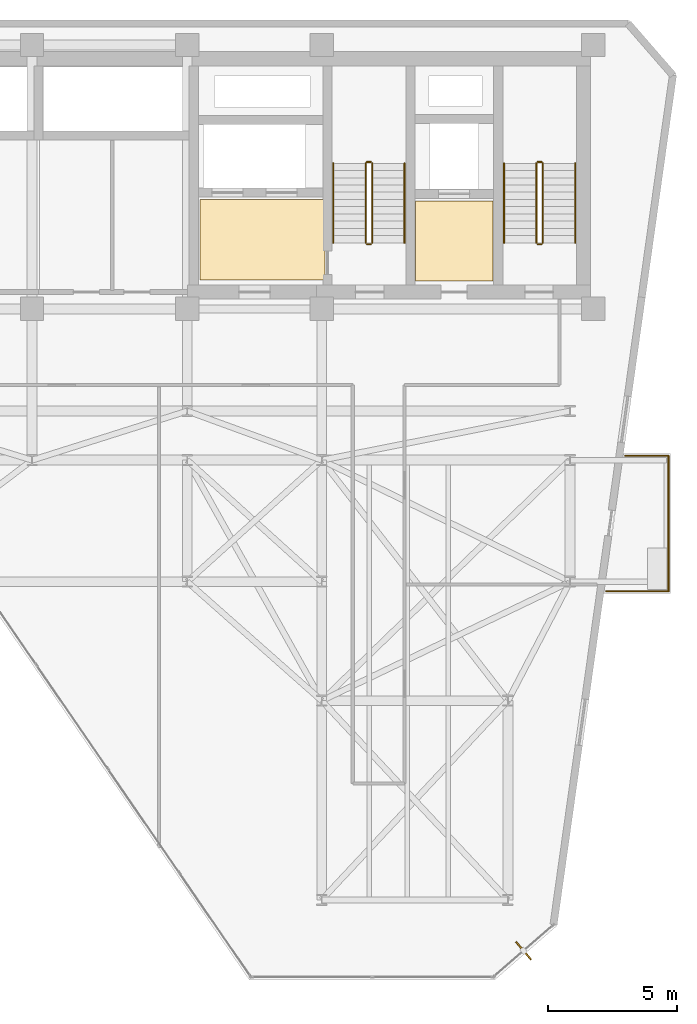
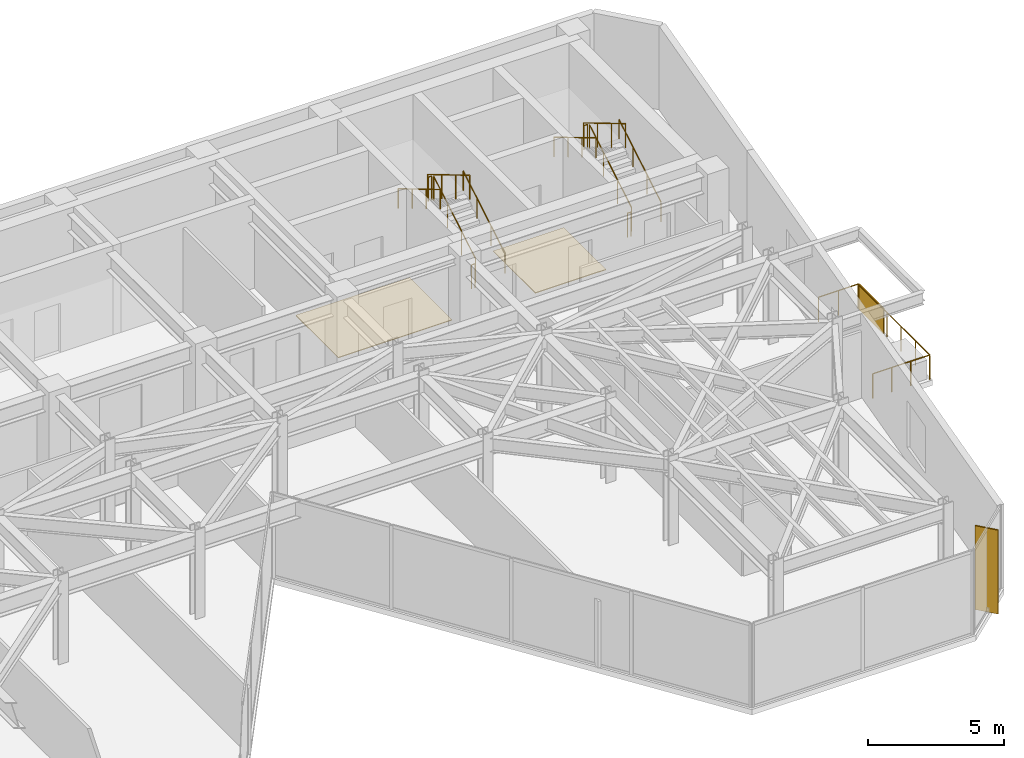
# One storey, part 26 of 26: 15 railings, 2 coverings, 2 shading devices.
"""IFC4 building model written with IfcOpenShell, lengths in metres."""

from ifc_helpers import new_model, si_unit, direction, frame, origin, origin_2d, place, context, subcontext, project, spatial, polyline, rectangle, circle, outline, extrude, material, layer, layer_set, type_object, element, save


model = new_model("IFC4")

# Units and contexts
model_context = context("Model", 3, precision=1e-05, world=origin(), true_north=direction((0.0, 1.0)))
body_context = subcontext(model_context, "Body", "Model", "MODEL_VIEW")
ifc_project = project(units=[si_unit("LENGTHUNIT", "METRE"), si_unit("AREAUNIT", "SQUARE_METRE"), si_unit("VOLUMEUNIT", "CUBIC_METRE"), si_unit("PLANEANGLEUNIT", "RADIAN"), si_unit("MASSUNIT", "GRAM", prefix="KILO")], contexts=[model_context])

# Site, building, storey
site_placement = place(None, origin())
site = spatial("IfcSite", under=ifc_project, at=site_placement, CompositionType="ELEMENT")
building_placement = place(site_placement, origin())
building = spatial("IfcBuilding", under=site, at=building_placement, Name="Kravanh Interchange Tower", CompositionType="ELEMENT")
storey_placement = place(building_placement, frame((0.0, 0.0, 180.5)))
storey = spatial("IfcBuildingStorey", under=building, at=storey_placement, Name="L43", CompositionType="ELEMENT", Elevation=180.5)

# Coverings
ifc_material_1 = material(Name="Cementitious Terrazzo Tile")
ifc_layer_1 = layer(ifc_material_1, 0.030029296875)
ifc_layer_set_1 = layer_set([ifc_layer_1], Name="Honed Terrazzo Lobby Flooring 30mm")
covering_type = type_object("IfcCoveringType", Name="Honed Terrazzo Lobby Flooring 30mm", PredefinedType="FLOORING", material=ifc_layer_set_1)
covering_1_placement = place(storey_placement, origin())
element("IfcCovering", 1, at=covering_1_placement, inside=storey, type_object=covering_type, Name="L43 Service Lift Lobby Floor Finish", PredefinedType="FLOORING", context=body_context, shape_type="SweptSolid", body=[
    extrude(outline(polyline([(59.6298828125, 41.52001953125), (62.6201171875, 41.52001953125), (62.6201171875, 38.429931640625), (59.6298828125, 38.429931640625), (59.6298828125, 41.52001953125)])), origin(), (0.0, 0.0, 1.0), 0.030029296875),
])
covering_2_placement = place(storey_placement, origin())
element("IfcCovering", 2, at=covering_2_placement, inside=storey, type_object=covering_type, Name="L43 Firefighting Lobby Floor Finish", PredefinedType="FLOORING", context=body_context, shape_type="SweptSolid", body=[
    extrude(outline(polyline([(56.1201171875, 38.4599609375), (51.300048828125, 38.4599609375), (51.300048828125, 41.580078125), (56.1201171875, 41.580078125), (56.1201171875, 38.4599609375)])), origin(), (0.0, 0.0, 1.0), 0.030029296875),
])

# Shading device
ifc_material_2 = material(Name="Perforated Anodised Bronze Aluminium", Category="aluminium")
ifc_layer_2 = layer(ifc_material_2, 0.0400390625)
ifc_layer_set_2 = layer_set([ifc_layer_2], Name="Perforated Bronze Balcony Privacy Screen 1150mm")
shading_device_type_1 = type_object("IfcShadingDeviceType", Name="Perforated Bronze Balcony Privacy Screen 1150mm", PredefinedType="USERDEFINED", material=ifc_layer_set_2)
shading_device_1_placement = place(storey_placement, frame((69.409912109375, 30.699951171875, 0.0), z_axis=(0.0, 0.0, 1.0), x_axis=(1.0, 0.0, 0.0)))
element("IfcShadingDevice", 3, at=shading_device_1_placement, inside=storey, type_object=shading_device_type_1, Name="L43 E Perforated Bronze BALCONY SCREEN", ObjectType="SCREEN", PredefinedType="USERDEFINED", context=body_context, shape_type="SweptSolid", body=[
    extrude(rectangle(XDim=0.0400390625, YDim=1.800048828125, at=origin_2d()), origin(), (0.0, 0.0, 1.0), 1.14990234375),
])

# Railings
ifc_material_3 = material(Name="Stainless Steel 316", Category="steel")
ifc_layer_3 = layer(ifc_material_3, 0.06005859375)
ifc_layer_set_3 = layer_set([ifc_layer_3], Name="Perimeter Balcony and Terrace Guardrail Stainless 316 1120mm")
railing_type_1 = type_object("IfcRailingType", Name="Perimeter Balcony and Terrace Guardrail Stainless 316 1120mm", PredefinedType="GUARDRAIL", material=ifc_layer_set_3)
railing_1_placement = place(storey_placement, frame((69.409912109375, 31.669921875, 0.0)))
element("IfcRailing", 4, at=railing_1_placement, inside=storey, type_object=railing_type_1, Name="L43 E Balcony Guardrail 1", PredefinedType="GUARDRAIL", context=body_context, shape_type="SweptSolid", body=[
    extrude(circle(Radius=0.02392578125, at=origin_2d()), frame((0.0, 0.0, 1.09619140625), z_axis=(0.0, -1.0, 0.0), x_axis=(1.0, 0.0, 0.0)), (0.0, 0.0, 1.0), 5.239990234375),
    extrude(circle(Radius=0.02099609375, at=origin_2d()), origin(), (0.0, 0.0, 1.0), 1.072021484375),
    extrude(circle(Radius=0.02099609375, at=origin_2d()), frame((0.0, -1.048095703125, 0.0)), (0.0, 0.0, 1.0), 1.072021484375),
    extrude(circle(Radius=0.02099609375, at=origin_2d()), frame((0.0, -2.095947265625, 0.0)), (0.0, 0.0, 1.0), 1.072021484375),
    extrude(circle(Radius=0.02099609375, at=origin_2d()), frame((0.0, -3.14404296875, 0.0)), (0.0, 0.0, 1.0), 1.072021484375),
    extrude(circle(Radius=0.02099609375, at=origin_2d()), frame((0.0, -4.19189453125, 0.0)), (0.0, 0.0, 1.0), 1.072021484375),
    extrude(circle(Radius=0.02099609375, at=origin_2d()), frame((0.0, -5.239990234375, 0.0)), (0.0, 0.0, 1.0), 1.072021484375),
])
railing_2_placement = place(storey_placement, frame((69.409912109375, 26.429931640625, 0.0)))
element("IfcRailing", 5, at=railing_2_placement, inside=storey, type_object=railing_type_1, Name="L43 E Balcony Guardrail 2", PredefinedType="GUARDRAIL", context=body_context, shape_type="SweptSolid", body=[
    extrude(circle(Radius=0.02392578125, at=origin_2d()), frame((0.0, 0.0, 1.09619140625), z_axis=(-1.0, 0.0, 0.0), x_axis=(0.0, -1.0, 0.0)), (0.0, 0.0, 1.0), 2.415771484375),
    extrude(circle(Radius=0.02099609375, at=origin_2d()), origin(), (0.0, 0.0, 1.0), 1.072021484375),
    extrude(circle(Radius=0.02099609375, at=origin_2d()), frame((-0.80517578125, 0.0, 0.0)), (0.0, 0.0, 1.0), 1.072021484375),
    extrude(circle(Radius=0.02099609375, at=origin_2d()), frame((-1.610595703125, 0.0, 0.0)), (0.0, 0.0, 1.0), 1.072021484375),
    extrude(circle(Radius=0.02099609375, at=origin_2d()), frame((-2.415771484375, 0.0, 0.0)), (0.0, 0.0, 1.0), 1.072021484375),
])
railing_3_placement = place(storey_placement, frame((67.730712890625, 31.669921875, 0.0)))
element("IfcRailing", 6, at=railing_3_placement, inside=storey, type_object=railing_type_1, Name="L43 E Balcony Guardrail 3", PredefinedType="GUARDRAIL", context=body_context, shape_type="SweptSolid", body=[
    extrude(circle(Radius=0.02392578125, at=origin_2d()), frame((0.0, 0.0, 1.09619140625), z_axis=(1.0, 0.0, 0.0), x_axis=(0.0, 1.0, 0.0)), (0.0, 0.0, 1.0), 1.67919921875),
    extrude(circle(Radius=0.02099609375, at=origin_2d()), origin(), (0.0, 0.0, 1.0), 1.072021484375),
    extrude(circle(Radius=0.02099609375, at=origin_2d()), frame((0.839599609375, 0.0, 0.0)), (0.0, 0.0, 1.0), 1.072021484375),
    extrude(circle(Radius=0.02099609375, at=origin_2d()), frame((1.67919921875, 0.0, 0.0)), (0.0, 0.0, 1.0), 1.072021484375),
])
ifc_material_4 = material(Name="Structural Steel S355", Category="steel")
ifc_layer_4 = layer(ifc_material_4, 0.050048828125)
ifc_layer_set_4 = layer_set([ifc_layer_4], Name="Stair Well Guardrail Structural Steel S355 1100mm")
railing_type_2 = type_object("IfcRailingType", Name="Stair Well Guardrail Structural Steel S355 1100mm", PredefinedType="GUARDRAIL", material=ifc_layer_set_4)
railing_4_placement = place(storey_placement, frame((64.550048828125, 39.89990234375, 0.166748046875)))
element("IfcRailing", 7, at=railing_4_placement, inside=storey, type_object=railing_type_2, Name="L43 ST1 stair guard 1", PredefinedType="GUARDRAIL", context=body_context, shape_type="SweptSolid", body=[
    extrude(circle(Radius=0.02392578125, at=origin_2d()), frame((0.0, 0.0, 1.076171875), z_axis=(0.0, 0.859308565015, 0.511457515432), x_axis=(-1.0, 0.0, 0.0)), (0.0, 0.0, 1.0), 3.58447265625),
    extrude(circle(Radius=0.02099609375, at=origin_2d()), origin(), (0.0, 0.0, 1.0), 1.052001953125),
    extrude(circle(Radius=0.02099609375, at=origin_2d()), frame((0.0, 1.026611328125, 0.611083984375)), (0.0, 0.0, 1.0), 1.052001953125),
    extrude(circle(Radius=0.02099609375, at=origin_2d()), frame((0.0, 2.053466796875, 1.22216796875)), (0.0, 0.0, 1.0), 1.052001953125),
    extrude(circle(Radius=0.02099609375, at=origin_2d()), frame((0.0, 3.080078125, 1.833251953125)), (0.0, 0.0, 1.0), 1.052001953125),
])
railing_5_placement = place(storey_placement, frame((64.5, 43.030029296875, 2.0)))
element("IfcRailing", 8, at=railing_5_placement, inside=storey, type_object=railing_type_2, Name="L43 ST1 stair guard 2", PredefinedType="GUARDRAIL", context=body_context, shape_type="SweptSolid", body=[
    extrude(circle(Radius=0.02392578125, at=origin_2d()), frame((0.0, 0.0, 1.076171875), z_axis=(-1.0, 0.0, 0.0), x_axis=(0.0, -1.0, 0.0)), (0.0, 0.0, 1.0), 0.14990234375),
    extrude(circle(Radius=0.02099609375, at=origin_2d()), origin(), (0.0, 0.0, 1.0), 1.052001953125),
    extrude(circle(Radius=0.02099609375, at=origin_2d()), frame((-0.14990234375, 0.0, 0.0)), (0.0, 0.0, 1.0), 1.052001953125),
])
railing_6_placement = place(storey_placement, frame((64.300048828125, 42.97998046875, 2.166748046875)))
element("IfcRailing", 9, at=railing_6_placement, inside=storey, type_object=railing_type_2, Name="L43 ST1 stair guard 3", PredefinedType="GUARDRAIL", context=body_context, shape_type="SweptSolid", body=[
    extrude(circle(Radius=0.02392578125, at=origin_2d()), frame((0.0, 0.0, 1.076171875), z_axis=(0.0, -0.859308565015, 0.511457515432), x_axis=(1.0, 0.0, 0.0)), (0.0, 0.0, 1.0), 3.58447265625),
    extrude(circle(Radius=0.02099609375, at=origin_2d()), origin(), (0.0, 0.0, 1.0), 1.052001953125),
    extrude(circle(Radius=0.02099609375, at=origin_2d()), frame((0.0, -1.026611328125, 0.611083984375)), (0.0, 0.0, 1.0), 1.052001953125),
    extrude(circle(Radius=0.02099609375, at=origin_2d()), frame((0.0, -2.053466796875, 1.22216796875)), (0.0, 0.0, 1.0), 1.052001953125),
    extrude(circle(Radius=0.02099609375, at=origin_2d()), frame((0.0, -3.080078125, 1.833251953125)), (0.0, 0.0, 1.0), 1.052001953125),
])
railing_7_placement = place(storey_placement, frame((64.5, 39.85009765625, 0.0)))
element("IfcRailing", 10, at=railing_7_placement, inside=storey, type_object=railing_type_2, Name="L43 ST1 stair guard 4", PredefinedType="GUARDRAIL", context=body_context, shape_type="SweptSolid", body=[
    extrude(circle(Radius=0.02392578125, at=origin_2d()), frame((0.0, 0.0, 1.076171875), z_axis=(-1.0, 0.0, 0.0), x_axis=(0.0, -1.0, 0.0)), (0.0, 0.0, 1.0), 0.14990234375),
    extrude(circle(Radius=0.02099609375, at=origin_2d()), origin(), (0.0, 0.0, 1.0), 1.052001953125),
    extrude(circle(Radius=0.02099609375, at=origin_2d()), frame((-0.14990234375, 0.0, 0.0)), (0.0, 0.0, 1.0), 1.052001953125),
])
railing_8_placement = place(storey_placement, frame((57.949951171875, 39.89990234375, 0.166748046875)))
element("IfcRailing", 11, at=railing_8_placement, inside=storey, type_object=railing_type_2, Name="L43 ST2 stair guard 1", PredefinedType="GUARDRAIL", context=body_context, shape_type="SweptSolid", body=[
    extrude(circle(Radius=0.02392578125, at=origin_2d()), frame((0.0, 0.0, 1.076171875), z_axis=(0.0, 0.859308565015, 0.511457515432), x_axis=(-1.0, 0.0, 0.0)), (0.0, 0.0, 1.0), 3.58447265625),
    extrude(circle(Radius=0.02099609375, at=origin_2d()), origin(), (0.0, 0.0, 1.0), 1.052001953125),
    extrude(circle(Radius=0.02099609375, at=origin_2d()), frame((0.0, 1.026611328125, 0.611083984375)), (0.0, 0.0, 1.0), 1.052001953125),
    extrude(circle(Radius=0.02099609375, at=origin_2d()), frame((0.0, 2.053466796875, 1.22216796875)), (0.0, 0.0, 1.0), 1.052001953125),
    extrude(circle(Radius=0.02099609375, at=origin_2d()), frame((0.0, 3.080078125, 1.833251953125)), (0.0, 0.0, 1.0), 1.052001953125),
])
railing_9_placement = place(storey_placement, frame((57.89990234375, 43.030029296875, 2.0)))
element("IfcRailing", 12, at=railing_9_placement, inside=storey, type_object=railing_type_2, Name="L43 ST2 stair guard 2", PredefinedType="GUARDRAIL", context=body_context, shape_type="SweptSolid", body=[
    extrude(circle(Radius=0.02392578125, at=origin_2d()), frame((0.0, 0.0, 1.076171875), z_axis=(-1.0, 0.0, 0.0), x_axis=(0.0, -1.0, 0.0)), (0.0, 0.0, 1.0), 0.14990234375),
    extrude(circle(Radius=0.02099609375, at=origin_2d()), origin(), (0.0, 0.0, 1.0), 1.052001953125),
    extrude(circle(Radius=0.02099609375, at=origin_2d()), frame((-0.14990234375, 0.0, 0.0)), (0.0, 0.0, 1.0), 1.052001953125),
])
railing_10_placement = place(storey_placement, frame((57.699951171875, 42.97998046875, 2.166748046875)))
element("IfcRailing", 13, at=railing_10_placement, inside=storey, type_object=railing_type_2, Name="L43 ST2 stair guard 3", PredefinedType="GUARDRAIL", context=body_context, shape_type="SweptSolid", body=[
    extrude(circle(Radius=0.02392578125, at=origin_2d()), frame((0.0, 0.0, 1.076171875), z_axis=(0.0, -0.859308565015, 0.511457515432), x_axis=(1.0, 0.0, 0.0)), (0.0, 0.0, 1.0), 3.58447265625),
    extrude(circle(Radius=0.02099609375, at=origin_2d()), origin(), (0.0, 0.0, 1.0), 1.052001953125),
    extrude(circle(Radius=0.02099609375, at=origin_2d()), frame((0.0, -1.026611328125, 0.611083984375)), (0.0, 0.0, 1.0), 1.052001953125),
    extrude(circle(Radius=0.02099609375, at=origin_2d()), frame((0.0, -2.053466796875, 1.22216796875)), (0.0, 0.0, 1.0), 1.052001953125),
    extrude(circle(Radius=0.02099609375, at=origin_2d()), frame((0.0, -3.080078125, 1.833251953125)), (0.0, 0.0, 1.0), 1.052001953125),
])
railing_11_placement = place(storey_placement, frame((57.89990234375, 39.85009765625, 0.0)))
element("IfcRailing", 14, at=railing_11_placement, inside=storey, type_object=railing_type_2, Name="L43 ST2 stair guard 4", PredefinedType="GUARDRAIL", context=body_context, shape_type="SweptSolid", body=[
    extrude(circle(Radius=0.02392578125, at=origin_2d()), frame((0.0, 0.0, 1.076171875), z_axis=(-1.0, 0.0, 0.0), x_axis=(0.0, -1.0, 0.0)), (0.0, 0.0, 1.0), 0.14990234375),
    extrude(circle(Radius=0.02099609375, at=origin_2d()), origin(), (0.0, 0.0, 1.0), 1.052001953125),
    extrude(circle(Radius=0.02099609375, at=origin_2d()), frame((-0.14990234375, 0.0, 0.0)), (0.0, 0.0, 1.0), 1.052001953125),
])
ifc_material_5 = material(Name="Stainless Steel 304", Category="steel")
ifc_layer_5 = layer(ifc_material_5, 0.044921875)
ifc_layer_set_5 = layer_set([ifc_layer_5], Name="Tubular Stair Handrail Stainless 304 900mm")
railing_type_3 = type_object("IfcRailingType", Name="Tubular Stair Handrail Stainless 304 900mm", PredefinedType="HANDRAIL", material=ifc_layer_set_5)
railing_12_placement = place(storey_placement, frame((65.800048828125, 39.89990234375, 0.166748046875)))
element("IfcRailing", 15, at=railing_12_placement, inside=storey, type_object=railing_type_3, Name="L43 ST1 stair handrail 1", PredefinedType="HANDRAIL", context=body_context, shape_type="SweptSolid", body=[
    extrude(circle(Radius=0.02392578125, at=origin_2d()), frame((0.0, 0.0, 0.8759765625), z_axis=(0.0, 0.859308565015, 0.511457515432), x_axis=(-1.0, 0.0, 0.0)), (0.0, 0.0, 1.0), 3.58447265625),
    extrude(circle(Radius=0.02099609375, at=origin_2d()), origin(), (0.0, 0.0, 1.0), 0.851806640625),
    extrude(circle(Radius=0.02099609375, at=origin_2d()), frame((0.0, 1.026611328125, 0.611083984375)), (0.0, 0.0, 1.0), 0.851806640625),
    extrude(circle(Radius=0.02099609375, at=origin_2d()), frame((0.0, 2.053466796875, 1.22216796875)), (0.0, 0.0, 1.0), 0.851806640625),
    extrude(circle(Radius=0.02099609375, at=origin_2d()), frame((0.0, 3.080078125, 1.833251953125)), (0.0, 0.0, 1.0), 0.851806640625),
])
railing_13_placement = place(storey_placement, frame((63.050048828125, 42.97998046875, 2.166748046875)))
element("IfcRailing", 16, at=railing_13_placement, inside=storey, type_object=railing_type_3, Name="L43 ST1 stair handrail 2", PredefinedType="HANDRAIL", context=body_context, shape_type="SweptSolid", body=[
    extrude(circle(Radius=0.02392578125, at=origin_2d()), frame((0.0, 0.0, 0.8759765625), z_axis=(0.0, -0.859308565015, 0.511457515432), x_axis=(1.0, 0.0, 0.0)), (0.0, 0.0, 1.0), 3.58447265625),
    extrude(circle(Radius=0.02099609375, at=origin_2d()), origin(), (0.0, 0.0, 1.0), 0.851806640625),
    extrude(circle(Radius=0.02099609375, at=origin_2d()), frame((0.0, -1.026611328125, 0.611083984375)), (0.0, 0.0, 1.0), 0.851806640625),
    extrude(circle(Radius=0.02099609375, at=origin_2d()), frame((0.0, -2.053466796875, 1.22216796875)), (0.0, 0.0, 1.0), 0.851806640625),
    extrude(circle(Radius=0.02099609375, at=origin_2d()), frame((0.0, -3.080078125, 1.833251953125)), (0.0, 0.0, 1.0), 0.851806640625),
])
railing_14_placement = place(storey_placement, frame((59.199951171875, 39.89990234375, 0.166748046875)))
element("IfcRailing", 17, at=railing_14_placement, inside=storey, type_object=railing_type_3, Name="L43 ST2 stair handrail 1", PredefinedType="HANDRAIL", context=body_context, shape_type="SweptSolid", body=[
    extrude(circle(Radius=0.02392578125, at=origin_2d()), frame((0.0, 0.0, 0.8759765625), z_axis=(0.0, 0.859308565015, 0.511457515432), x_axis=(-1.0, 0.0, 0.0)), (0.0, 0.0, 1.0), 3.58447265625),
    extrude(circle(Radius=0.02099609375, at=origin_2d()), origin(), (0.0, 0.0, 1.0), 0.851806640625),
    extrude(circle(Radius=0.02099609375, at=origin_2d()), frame((0.0, 1.026611328125, 0.611083984375)), (0.0, 0.0, 1.0), 0.851806640625),
    extrude(circle(Radius=0.02099609375, at=origin_2d()), frame((0.0, 2.053466796875, 1.22216796875)), (0.0, 0.0, 1.0), 0.851806640625),
    extrude(circle(Radius=0.02099609375, at=origin_2d()), frame((0.0, 3.080078125, 1.833251953125)), (0.0, 0.0, 1.0), 0.851806640625),
])
railing_15_placement = place(storey_placement, frame((56.449951171875, 42.97998046875, 2.166748046875)))
element("IfcRailing", 18, at=railing_15_placement, inside=storey, type_object=railing_type_3, Name="L43 ST2 stair handrail 2", PredefinedType="HANDRAIL", context=body_context, shape_type="SweptSolid", body=[
    extrude(circle(Radius=0.02392578125, at=origin_2d()), frame((0.0, 0.0, 0.8759765625), z_axis=(0.0, -0.859308565015, 0.511457515432), x_axis=(1.0, 0.0, 0.0)), (0.0, 0.0, 1.0), 3.58447265625),
    extrude(circle(Radius=0.02099609375, at=origin_2d()), origin(), (0.0, 0.0, 1.0), 0.851806640625),
    extrude(circle(Radius=0.02099609375, at=origin_2d()), frame((0.0, -1.026611328125, 0.611083984375)), (0.0, 0.0, 1.0), 0.851806640625),
    extrude(circle(Radius=0.02099609375, at=origin_2d()), frame((0.0, -2.053466796875, 1.22216796875)), (0.0, 0.0, 1.0), 0.851806640625),
    extrude(circle(Radius=0.02099609375, at=origin_2d()), frame((0.0, -3.080078125, 1.833251953125)), (0.0, 0.0, 1.0), 0.851806640625),
])

# Shading device
ifc_material_6 = material(Name="Anodised Champagne Bronze Aluminium", Category="aluminium")
ifc_layer_6 = layer(ifc_material_6, 0.06005859375)
ifc_layer_set_6 = layer_set([ifc_layer_6], Name="Vertical Bronze Solar Fin 900mm")
shading_device_type_2 = type_object("IfcShadingDeviceType", Name="Vertical Bronze Solar Fin 900mm", PredefinedType="USERDEFINED", material=ifc_layer_set_6)
shading_device_2_placement = place(storey_placement, frame((63.80322265625, 12.530517578125, 0.0), z_axis=(0.0, 0.0, 1.0), x_axis=(0.656059988016, -0.754708746554, 0.0)))
element("IfcShadingDevice", 19, at=shading_device_2_placement, inside=storey, type_object=shading_device_type_2, Name="L43 BRONZE SOLAR FIN 2", ObjectType="FIN", PredefinedType="USERDEFINED", context=body_context, shape_type="SweptSolid", body=[
    extrude(rectangle(XDim=0.89990234375, YDim=0.06005859375, at=origin_2d()), origin(), (0.0, 0.0, 1.0), 3.7548828125),
])

save(model, "model.ifc")
